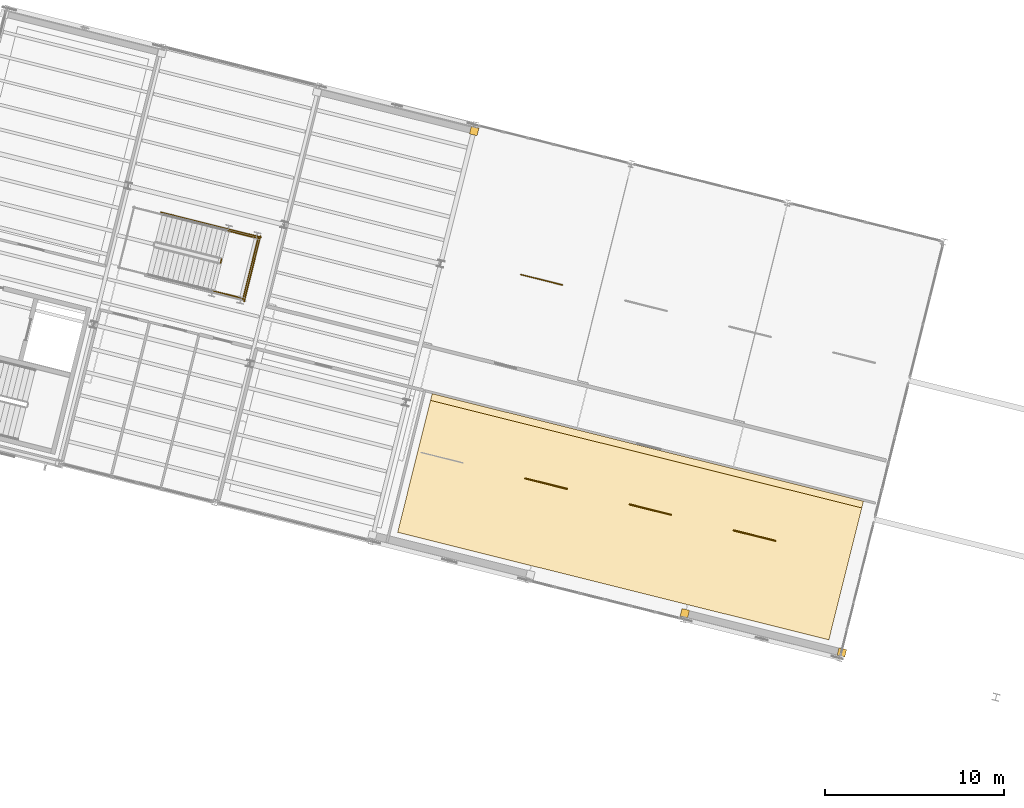
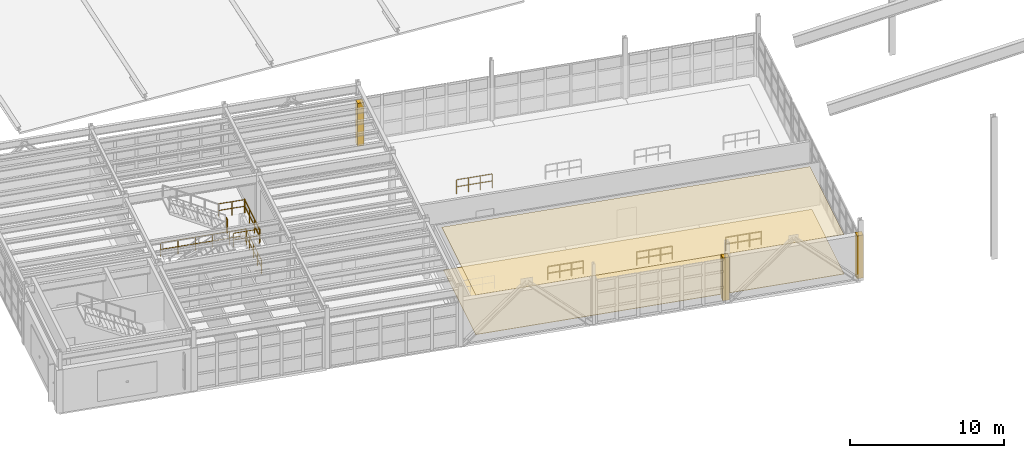
# One storey, part 56 of 59: 10 railings, 5 coverings.
"""IFC4 building model written with IfcOpenShell, lengths in metres."""

from ifc_helpers import new_model, si_unit, direction, frame, origin, origin_2d, place, context, subcontext, project, spatial, polyline, rectangle, circle, outline, extrude, material, layer, layer_set, type_object, element, save


model = new_model("IFC4")

# Units and contexts
model_context = context("Model", 3, precision=1e-05, world=origin(), true_north=direction((0.0, 1.0)))
body_context = subcontext(model_context, "Body", "Model", "MODEL_VIEW")
ifc_project = project(units=[si_unit("LENGTHUNIT", "METRE"), si_unit("AREAUNIT", "SQUARE_METRE"), si_unit("VOLUMEUNIT", "CUBIC_METRE"), si_unit("PLANEANGLEUNIT", "RADIAN"), si_unit("MASSUNIT", "GRAM", prefix="KILO")], contexts=[model_context])

# Site, building, storey
site_placement = place(None, origin())
site = spatial("IfcSite", under=ifc_project, at=site_placement, CompositionType="ELEMENT")
building_placement = place(site_placement, origin())
building = spatial("IfcBuilding", under=site, at=building_placement, Name="Vireo Bluff Cable Station", CompositionType="ELEMENT")
storey_placement = place(building_placement, frame((0.0, 0.0, 14.39990234375)))
storey = spatial("IfcBuildingStorey", under=building, at=storey_placement, Name="L03", CompositionType="ELEMENT", Elevation=14.39990234375)

# Railings
ifc_material_1 = material(Name="Laminated Low-E Insulated Glass", Category="glass")
railing_type_1 = type_object("IfcRailingType", Name="BALUSTRADE-1100", PredefinedType="BALUSTRADE", material=ifc_material_1)
for number, where, name in (
    (1, (88.8056640625, 34.990234375, 0.0), "Boarding Hall platform queuing balustrade 3"),
    (2, (94.62744140625, 33.538818359375, 0.0), "Boarding Hall platform queuing balustrade 5"),
    (3, (100.44921875, 32.087158203125, 0.0), "Boarding Hall platform queuing balustrade 7"),
):
    element("IfcRailing", number, at=place(storey_placement, frame(where)), inside=storey, type_object=railing_type_1, Name=name, PredefinedType="BALUSTRADE", context=body_context, shape_type="SweptSolid", body=[
        extrude(circle(Radius=0.02392578125, at=origin_2d()), frame((0.0, 0.0, 1.076171875), z_axis=(0.970303839674, -0.241889352212, 0.0), x_axis=(0.241889352212, 0.970303839674, 0.0)), (0.0, 0.0, 1.0), 2.400146484375),
        extrude(circle(Radius=0.02392578125, at=origin_2d()), frame((0.0, 0.0, 0.550048828125), z_axis=(0.970303839674, -0.241889352212, 0.0), x_axis=(0.241889352212, 0.970303839674, 0.0)), (0.0, 0.0, 1.0), 2.400146484375),
        extrude(circle(Radius=0.02099609375, at=origin_2d()), origin(), (0.0, 0.0, 1.0), 1.052001953125),
        extrude(circle(Radius=0.02099609375, at=origin_2d()), frame((0.7763671875, -0.193603515625, 0.0)), (0.0, 0.0, 1.0), 1.052001953125),
        extrude(circle(Radius=0.02099609375, at=origin_2d()), frame((1.552490234375, -0.386962890625, 0.0)), (0.0, 0.0, 1.0), 1.052001953125),
        extrude(circle(Radius=0.02099609375, at=origin_2d()), frame((2.328857421875, -0.58056640625, 0.0)), (0.0, 0.0, 1.0), 1.052001953125),
    ])
railing_type_2 = type_object("IfcRailingType", Name="BALUSTRADE-1150", PredefinedType="BALUSTRADE", material=ifc_material_1)
railing_1_placement = place(storey_placement, frame((88.555908203125, 46.389404296875, 0.0)))
element("IfcRailing", 4, at=railing_1_placement, inside=storey, type_object=railing_type_2, Name="Boarding Hall platform queuing balustrade 2", PredefinedType="BALUSTRADE", context=body_context, shape_type="SweptSolid", body=[
    extrude(circle(Radius=0.02392578125, at=origin_2d()), frame((0.0, 0.0, 1.1259765625), z_axis=(0.970303839674, -0.241889352212, 0.0), x_axis=(0.241889352212, 0.970303839674, 0.0)), (0.0, 0.0, 1.0), 2.400146484375),
    extrude(circle(Radius=0.02392578125, at=origin_2d()), frame((0.0, 0.0, 0.574951171875), z_axis=(0.970303839674, -0.241889352212, 0.0), x_axis=(0.241889352212, 0.970303839674, 0.0)), (0.0, 0.0, 1.0), 2.400146484375),
    extrude(circle(Radius=0.02099609375, at=origin_2d()), origin(), (0.0, 0.0, 1.0), 1.101806640625),
    extrude(circle(Radius=0.02099609375, at=origin_2d()), frame((0.7763671875, -0.193603515625, 0.0)), (0.0, 0.0, 1.0), 1.101806640625),
    extrude(circle(Radius=0.02099609375, at=origin_2d()), frame((1.552490234375, -0.386962890625, 0.0)), (0.0, 0.0, 1.0), 1.101806640625),
    extrude(circle(Radius=0.02099609375, at=origin_2d()), frame((2.328857421875, -0.58056640625, 0.0)), (0.0, 0.0, 1.0), 1.101806640625),
])

# Coverings
ifc_material_2 = material(Name="Perforated Acoustic Metal Ceiling")
ifc_layer_1 = layer(ifc_material_2, 0.034912109375, Name="Perforated Acoustic Metal Ceiling")
ifc_layer_set_1 = layer_set([ifc_layer_1], Name="Perforated Acoustic Metal Ceiling")
covering_type_1 = type_object("IfcCoveringType", Name="CEILING-ACOUSTIC-35", PredefinedType="CEILING", material=ifc_layer_set_1)
covering_1_placement = place(storey_placement, frame((0.0, 0.0, 3.1201171875)))
element("IfcCovering", 5, at=covering_1_placement, inside=storey, type_object=covering_type_1, Name="V1 L03 Boarding Hall acoustic ceiling", PredefinedType="CEILING", context=body_context, shape_type="SweptSolid", body=[
    extrude(outline(polyline([(81.6650390625, 31.978271484375), (105.77685546875, 25.966552734375), (107.709716796875, 33.71923828125), (83.597900390625, 39.73095703125), (81.6650390625, 31.978271484375)])), origin(), (0.0, 0.0, 1.0), 0.034912109375),
])
ifc_material_3 = material(Name="Precast concrete f'c 45 MPa", Category="concrete")
ifc_layer_2 = layer(ifc_material_3, 0.0400390625, Name="Precast concrete f'c 45 MPa")
ifc_layer_set_2 = layer_set([ifc_layer_2], Name="Precast concrete f'c 45 MPa")
covering_type_2 = type_object("IfcCoveringType", Name="COL-CLOSURE-WRAP", PredefinedType="CLADDING", material=ifc_layer_set_2)
for number, where, z_axis, x_axis, name in (
    (6, (106.501953125, 25.26025390625, 0.000244140625), (0.0, 0.0, 1.0), (0.970295726276, -0.2419218956, 0.0), "V1 L03 column pocket closure"),
    (7, (97.7216796875, 27.44921875, 0.000244140625), (0.0, 0.0, 1.0), (0.970295726276, -0.2419218956, 0.0), "V1 L03 column pocket closure"),
    (8, (85.946533203125, 54.419189453125, 0.000244140625), (0.0, 0.0, 1.0), (0.970295726276, -0.2419218956, 0.0), "V1 L03 column pocket closure"),
):
    element("IfcCovering", number, at=place(storey_placement, frame(where, z_axis=z_axis, x_axis=x_axis)), inside=storey, type_object=covering_type_2, Name=name, PredefinedType="CLADDING", context=body_context, shape_type="SweptSolid", body=[
        extrude(rectangle(XDim=0.43994140625, YDim=0.43994140625, at=origin_2d()), origin(), (0.0, 0.0, 1.0), 3.39990234375),
    ])
ifc_material_4 = material(Name="Polished Terrazzo Flooring")
ifc_layer_3 = layer(ifc_material_4, 0.030029296875, Name="Polished Terrazzo Flooring")
ifc_layer_set_3 = layer_set([ifc_layer_3], Name="Polished Terrazzo Flooring")
covering_type_3 = type_object("IfcCoveringType", Name="FLOORING-TERRAZZO-30", PredefinedType="FLOORING", material=ifc_layer_set_3)
covering_2_placement = place(storey_placement, origin())
element("IfcCovering", 9, at=covering_2_placement, inside=storey, type_object=covering_type_3, Name="V1 L03 Boarding Hall terrazzo finish", PredefinedType="FLOORING", context=body_context, shape_type="SweptSolid", body=[
    extrude(outline(polyline([(81.6650390625, 31.978271484375), (105.77685546875, 25.966552734375), (107.615478515625, 33.3408203125), (83.503662109375, 39.3525390625), (81.6650390625, 31.978271484375)])), origin(), (0.0, 0.0, 1.0), 0.030029296875),
])

# Railings
ifc_material_5 = material(Name="Stainless Steel 316", Category="steel")
railing_type_3 = type_object("IfcRailingType", Name="STAIR-GUARD-1100", PredefinedType="GUARDRAIL", material=ifc_material_5)
railing_2_placement = place(storey_placement, frame((71.767333984375, 47.050537109375, 2.400146484375)))
element("IfcRailing", 10, at=railing_2_placement, inside=storey, type_object=railing_type_3, Name="L03 ST-10 stair guard 2", PredefinedType="GUARDRAIL", context=body_context, shape_type="SweptSolid", body=[
    extrude(circle(Radius=0.02392578125, at=origin_2d()), frame((0.0, 0.0, 1.076171875), z_axis=(0.241673946692, 0.970357513234, 0.0), x_axis=(-0.970357513234, 0.241673946692, 0.0)), (0.0, 0.0, 1.0), 0.199951171875),
    extrude(circle(Radius=0.02392578125, at=origin_2d()), frame((0.0, 0.0, 0.550048828125), z_axis=(0.241673946692, 0.970357513234, 0.0), x_axis=(-0.970357513234, 0.241673946692, 0.0)), (0.0, 0.0, 1.0), 0.199951171875),
    extrude(circle(Radius=0.02099609375, at=origin_2d()), origin(), (0.0, 0.0, 1.0), 1.052001953125),
    extrude(circle(Radius=0.02099609375, at=origin_2d()), frame((0.04833984375, 0.194091796875, 0.0)), (0.0, 0.0, 1.0), 1.052001953125),
])
railing_3_placement = place(storey_placement, frame((71.324462890625, 45.48095703125, 2.400146484375)))
element("IfcRailing", 11, at=railing_3_placement, inside=storey, type_object=railing_type_3, Name="L03 ST-10 stair guard 3", PredefinedType="GUARDRAIL", context=body_context, shape_type="SweptSolid", body=[
    extrude(circle(Radius=0.02392578125, at=origin_2d()), frame((0.0, 0.0, 1.076171875), z_axis=(0.970317771018, -0.241833461801, 0.0), x_axis=(0.241833461801, 0.970317771018, 0.0)), (0.0, 0.0, 1.0), 1.800048828125),
    extrude(circle(Radius=0.02392578125, at=origin_2d()), frame((0.0, 0.0, 0.550048828125), z_axis=(0.970317771018, -0.241833461801, 0.0), x_axis=(0.241833461801, 0.970317771018, 0.0)), (0.0, 0.0, 1.0), 1.800048828125),
    extrude(circle(Radius=0.02099609375, at=origin_2d()), origin(), (0.0, 0.0, 1.0), 1.052001953125),
    extrude(circle(Radius=0.02099609375, at=origin_2d()), frame((0.873291015625, -0.2177734375, 0.0)), (0.0, 0.0, 1.0), 1.052001953125),
    extrude(circle(Radius=0.02099609375, at=origin_2d()), frame((1.74658203125, -0.435302734375, 0.0)), (0.0, 0.0, 1.0), 1.052001953125),
])
railing_4_placement = place(storey_placement, frame((72.161376953125, 48.83837890625, 2.400146484375)))
element("IfcRailing", 12, at=railing_4_placement, inside=storey, type_object=railing_type_3, Name="L03 ST-10 stair guard 4", PredefinedType="GUARDRAIL", context=body_context, shape_type="SweptSolid", body=[
    extrude(circle(Radius=0.02392578125, at=origin_2d()), frame((0.0, 0.0, 1.076171875), z_axis=(0.97028593668, -0.241961156142, 0.0), x_axis=(0.241961156142, 0.97028593668, 0.0)), (0.0, 0.0, 1.0), 1.800048828125),
    extrude(circle(Radius=0.02392578125, at=origin_2d()), frame((0.0, 0.0, 0.550048828125), z_axis=(0.97028593668, -0.241961156142, 0.0), x_axis=(0.241961156142, 0.97028593668, 0.0)), (0.0, 0.0, 1.0), 1.800048828125),
    extrude(circle(Radius=0.02099609375, at=origin_2d()), origin(), (0.0, 0.0, 1.0), 1.052001953125),
    extrude(circle(Radius=0.02099609375, at=origin_2d()), frame((0.873291015625, -0.2177734375, 0.0)), (0.0, 0.0, 1.0), 1.052001953125),
    extrude(circle(Radius=0.02099609375, at=origin_2d()), frame((1.74658203125, -0.435546875, 0.0)), (0.0, 0.0, 1.0), 1.052001953125),
])
railing_5_placement = place(storey_placement, frame((73.01025390625, 45.00927734375, 2.400146484375)))
element("IfcRailing", 13, at=railing_5_placement, inside=storey, type_object=railing_type_3, Name="L03 ST-10 stair guard 5", PredefinedType="GUARDRAIL", context=body_context, shape_type="SweptSolid", body=[
    extrude(circle(Radius=0.02392578125, at=origin_2d()), frame((0.0, 0.0, 1.076171875), z_axis=(0.241954658005, 0.970287557103, 0.0), x_axis=(-0.970287557103, 0.241954658005, 0.0)), (0.0, 0.0, 1.0), 3.559814453125),
    extrude(circle(Radius=0.02392578125, at=origin_2d()), frame((0.0, 0.0, 0.550048828125), z_axis=(0.241954658005, 0.970287557103, 0.0), x_axis=(-0.970287557103, 0.241954658005, 0.0)), (0.0, 0.0, 1.0), 3.559814453125),
    extrude(circle(Radius=0.02099609375, at=origin_2d()), origin(), (0.0, 0.0, 1.0), 1.052001953125),
    extrude(circle(Radius=0.02099609375, at=origin_2d()), frame((0.287109375, 1.1513671875, 0.0)), (0.0, 0.0, 1.0), 1.052001953125),
    extrude(circle(Radius=0.02099609375, at=origin_2d()), frame((0.57421875, 2.302734375, 0.0)), (0.0, 0.0, 1.0), 1.052001953125),
    extrude(circle(Radius=0.02099609375, at=origin_2d()), frame((0.861328125, 3.4541015625, 0.0)), (0.0, 0.0, 1.0), 1.052001953125),
])
railing_6_placement = place(storey_placement, frame((68.4306640625, 49.87158203125, 0.0)))
element("IfcRailing", 14, at=railing_6_placement, inside=storey, type_object=railing_type_3, Name="L03 ST-10 stair guard 12", PredefinedType="GUARDRAIL", context=body_context, shape_type="SweptSolid", body=[
    extrude(circle(Radius=0.02392578125, at=origin_2d()), frame((0.0, 0.0, 1.076171875), z_axis=(0.970291651619, -0.24193823757, 0.0), x_axis=(0.24193823757, 0.970291651619, 0.0)), (0.0, 0.0, 1.0), 5.77001953125),
    extrude(circle(Radius=0.02392578125, at=origin_2d()), frame((0.0, 0.0, 0.550048828125), z_axis=(0.970291651619, -0.24193823757, 0.0), x_axis=(0.24193823757, 0.970291651619, 0.0)), (0.0, 0.0, 1.0), 5.77001953125),
    extrude(circle(Radius=0.02099609375, at=origin_2d()), origin(), (0.0, 0.0, 1.0), 1.052001953125),
    extrude(circle(Radius=0.02099609375, at=origin_2d()), frame((1.11962890625, -0.279296875, 0.0)), (0.0, 0.0, 1.0), 1.052001953125),
    extrude(circle(Radius=0.02099609375, at=origin_2d()), frame((2.239501953125, -0.558349609375, 0.0)), (0.0, 0.0, 1.0), 1.052001953125),
    extrude(circle(Radius=0.02099609375, at=origin_2d()), frame((3.359130859375, -0.837646484375, 0.0)), (0.0, 0.0, 1.0), 1.052001953125),
    extrude(circle(Radius=0.02099609375, at=origin_2d()), frame((4.47900390625, -1.11669921875, 0.0)), (0.0, 0.0, 1.0), 1.052001953125),
    extrude(circle(Radius=0.02099609375, at=origin_2d()), frame((5.5986328125, -1.39599609375, 0.0)), (0.0, 0.0, 1.0), 1.052001953125),
])
railing_7_placement = place(storey_placement, frame((73.083251953125, 44.887939453125, 0.0)))
element("IfcRailing", 15, at=railing_7_placement, inside=storey, type_object=railing_type_3, Name="L03 ST-10 stair guard 13", PredefinedType="GUARDRAIL", context=body_context, shape_type="SweptSolid", body=[
    extrude(circle(Radius=0.02392578125, at=origin_2d()), frame((0.0, 0.0, 1.076171875), z_axis=(0.241924482903, 0.970295081185, 0.0), x_axis=(-0.970295081185, 0.241924482903, 0.0)), (0.0, 0.0, 1.0), 3.76025390625),
    extrude(circle(Radius=0.02392578125, at=origin_2d()), frame((0.0, 0.0, 0.550048828125), z_axis=(0.241924482903, 0.970295081185, 0.0), x_axis=(-0.970295081185, 0.241924482903, 0.0)), (0.0, 0.0, 1.0), 3.76025390625),
    extrude(circle(Radius=0.02099609375, at=origin_2d()), origin(), (0.0, 0.0, 1.0), 1.052001953125),
    extrude(circle(Radius=0.02099609375, at=origin_2d()), frame((0.2275390625, 0.912109375, 0.0)), (0.0, 0.0, 1.0), 1.052001953125),
    extrude(circle(Radius=0.02099609375, at=origin_2d()), frame((0.454833984375, 1.82421875, 0.0)), (0.0, 0.0, 1.0), 1.052001953125),
    extrude(circle(Radius=0.02099609375, at=origin_2d()), frame((0.68212890625, 2.736328125, 0.0)), (0.0, 0.0, 1.0), 1.052001953125),
    extrude(circle(Radius=0.02099609375, at=origin_2d()), frame((0.90966796875, 3.6484375, 0.0)), (0.0, 0.0, 1.0), 1.052001953125),
])

save(model, "model.ifc")
